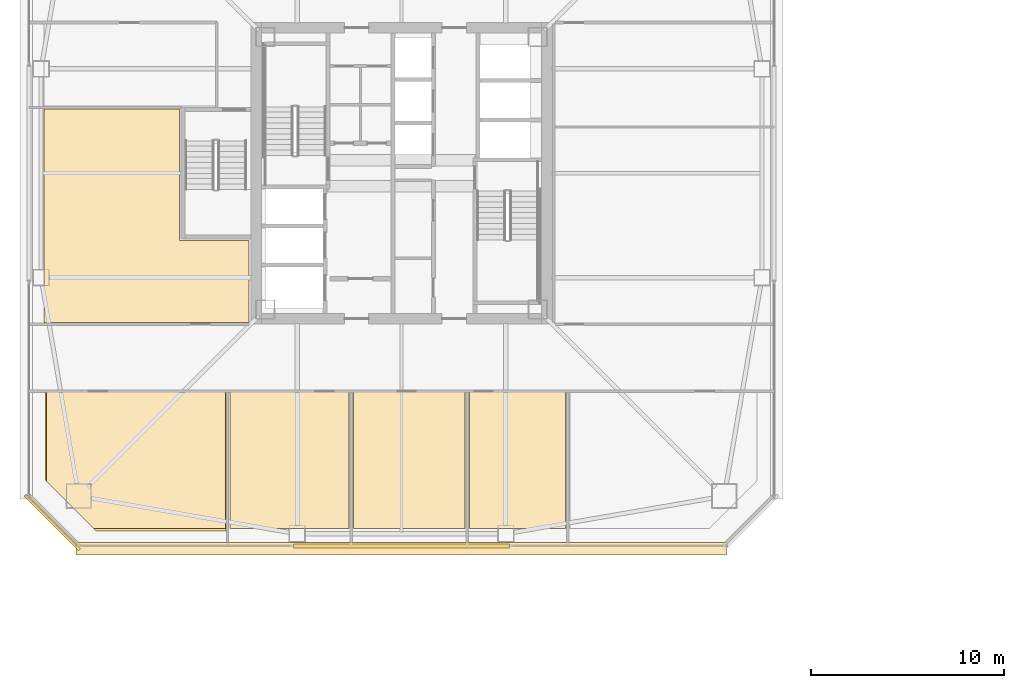
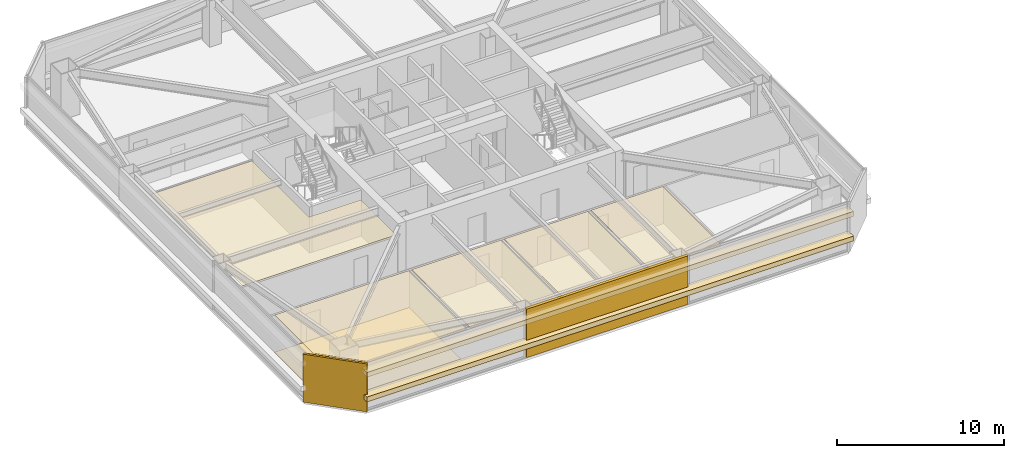
# One storey, part 36 of 41: 10 coverings.
"""IFC4 building model written with IfcOpenShell, lengths in metres."""

from ifc_helpers import new_model, si_unit, direction, frame, origin, origin_2d, place, context, subcontext, project, spatial, polyline, rectangle, outline, extrude, material, layer, layer_set, type_object, element, save


model = new_model("IFC4")

# Units and contexts
model_context = context("Model", 3, precision=1e-05, world=origin(), true_north=direction((0.0, 1.0)))
body_context = subcontext(model_context, "Body", "Model", "MODEL_VIEW")
ifc_project = project(units=[si_unit("LENGTHUNIT", "METRE"), si_unit("AREAUNIT", "SQUARE_METRE"), si_unit("VOLUMEUNIT", "CUBIC_METRE"), si_unit("PLANEANGLEUNIT", "RADIAN"), si_unit("MASSUNIT", "GRAM", prefix="KILO")], contexts=[model_context])

# Site, building, storey
site_placement = place(None, origin())
site = spatial("IfcSite", under=ifc_project, at=site_placement, CompositionType="ELEMENT")
building_placement = place(site_placement, origin())
building = spatial("IfcBuilding", under=site, at=building_placement, Name="Tashvorn Skyway Center", CompositionType="ELEMENT")
storey_placement = place(building_placement, frame((0.0, 0.0, 117.949951171875)))
storey = spatial("IfcBuildingStorey", under=building, at=storey_placement, Name="L31", CompositionType="ELEMENT", Elevation=117.949951171875)

# Coverings
ifc_material_1 = material(Name="Precast concrete C40/50", Category="concrete")
ifc_layer_1 = layer(ifc_material_1, 0.199951171875)
ifc_layer_set_1 = layer_set([ifc_layer_1], Name="Precast concrete C40/50")
covering_type_1 = type_object("IfcCoveringType", Name="COV-BRACE-CLAD", PredefinedType="CLADDING", material=ifc_layer_set_1)
covering_1_placement = place(storey_placement, frame((42.0, 12.719970703125, 0.0), z_axis=(0.0, 0.0, 1.0), x_axis=(-1.0, 0.0, 0.0)))
element("IfcCovering", 1, at=covering_1_placement, inside=storey, type_object=covering_type_1, Name="Tower 1 L31 South Unitised Curtain Wall Mega-Brace Cladding Band 1", PredefinedType="CLADDING", context=body_context, shape_type="SweptSolid", body=[
    extrude(rectangle(XDim=11.1865234375, YDim=0.199951171875, at=origin_2d()), origin(), (0.0, 0.0, 1.0), 3.550048828125),
])
ifc_material_2 = material(Name="Mineral-fibre acoustic ceiling tile on suspended grid")
ifc_layer_2 = layer(ifc_material_2, 0.02001953125)
ifc_layer_set_2 = layer_set([ifc_layer_2], Name="Mineral-fibre acoustic ceiling tile on suspended grid")
covering_type_2 = type_object("IfcCoveringType", Name="COV-CEIL-20", PredefinedType="CEILING", material=ifc_layer_set_2)
covering_2_placement = place(storey_placement, frame((0.0, 0.0, 2.703125)))
element("IfcCovering", 2, at=covering_2_placement, inside=storey, type_object=covering_type_2, Name="Tower 1 L31 Executive Study Lounge Acoustic Ceiling", PredefinedType="CEILING", context=body_context, shape_type="SweptSolid", body=[
    extrude(outline(polyline([(23.6201171875, 20.68994140625), (32.8798828125, 20.68994140625), (32.8798828125, 13.6201171875), (26.080078125, 13.6201171875), (23.6201171875, 16.080078125), (23.6201171875, 20.68994140625)])), origin(), (0.0, 0.0, 1.0), 0.02001953125),
])
covering_3_placement = place(storey_placement, frame((0.0, 0.0, 2.703125)))
element("IfcCovering", 3, at=covering_3_placement, inside=storey, type_object=covering_type_2, Name="Tower 1 L31 Design Studio Acoustic Ceiling", PredefinedType="CEILING", context=body_context, shape_type="SweptSolid", body=[
    extrude(outline(polyline([(33.1201171875, 20.68994140625), (39.280029296875, 20.68994140625), (39.280029296875, 13.6201171875), (33.1201171875, 13.6201171875), (33.1201171875, 20.68994140625)])), origin(), (0.0, 0.0, 1.0), 0.02001953125),
])
covering_4_placement = place(storey_placement, frame((0.0, 0.0, 2.703125)))
element("IfcCovering", 4, at=covering_4_placement, inside=storey, type_object=covering_type_2, Name="Tower 1 L31 Design Studio Acoustic Ceiling", PredefinedType="CEILING", context=body_context, shape_type="SweptSolid", body=[
    extrude(outline(polyline([(39.52001953125, 20.68994140625), (45.280029296875, 20.68994140625), (45.280029296875, 13.6201171875), (39.52001953125, 13.6201171875), (39.52001953125, 20.68994140625)])), origin(), (0.0, 0.0, 1.0), 0.02001953125),
])
covering_5_placement = place(storey_placement, frame((0.0, 0.0, 2.703125)))
element("IfcCovering", 5, at=covering_5_placement, inside=storey, type_object=covering_type_2, Name="Tower 1 L31 Reading Lounge Acoustic Ceiling", PredefinedType="CEILING", context=body_context, shape_type="SweptSolid", body=[
    extrude(outline(polyline([(45.52001953125, 20.68994140625), (50.47998046875, 20.68994140625), (50.47998046875, 13.6201171875), (45.52001953125, 13.6201171875), (45.52001953125, 20.68994140625)])), origin(), (0.0, 0.0, 1.0), 0.02001953125),
])
covering_6_placement = place(storey_placement, frame((0.0, 0.0, 2.703125)))
element("IfcCovering", 6, at=covering_6_placement, inside=storey, type_object=covering_type_2, Name="Tower 1 L31 Public Restroom Acoustic Ceiling", PredefinedType="CEILING", context=body_context, shape_type="SweptSolid", body=[
    extrude(outline(polyline([(34.1201171875, 24.280029296875), (23.5, 24.280029296875), (23.5, 28.52001953125), (23.5, 35.320068359375), (30.52001953125, 35.320068359375), (30.52001953125, 28.52001953125), (34.1201171875, 28.52001953125), (34.1201171875, 24.280029296875)])), origin(), (0.0, 0.0, 1.0), 0.02001953125),
])
ifc_material_3 = material(Name="Polished Mojave desert-aggregate terrazzo and cover plate")
ifc_layer_3 = layer(ifc_material_3, 0.0400390625)
ifc_layer_set_3 = layer_set([ifc_layer_3], Name="Polished Mojave desert-aggregate terrazzo and cover plate")
covering_type_3 = type_object("IfcCoveringType", Name="COV-FLR-40", PredefinedType="FLOORING", material=ifc_layer_set_3)
covering_7_placement = place(storey_placement, origin())
element("IfcCovering", 7, at=covering_7_placement, inside=storey, type_object=covering_type_3, Name="Tower 1 L31 Executive Study Lounge Finish Flooring", PredefinedType="FLOORING", context=body_context, shape_type="SweptSolid", body=[
    extrude(outline(polyline([(26.199951171875, 13.5), (23.580078125, 16.1201171875), (23.580078125, 20.64990234375), (32.919921875, 20.64990234375), (32.919921875, 13.5), (26.199951171875, 13.5)])), origin(), (0.0, 0.0, 1.0), 0.0400390625),
])
ifc_material_4 = material(Name="Perforated ceramic-coated bronze aluminium solar screen", Category="aluminium")
ifc_layer_4 = layer(ifc_material_4, 0.85009765625)
ifc_layer_set_4 = layer_set([ifc_layer_4], Name="Perforated ceramic-coated bronze aluminium solar screen")
covering_type_4 = type_object("IfcCoveringType", Name="COV-SOLAR-BAND", PredefinedType="CLADDING", material=ifc_layer_set_4)
for number, where, z_axis, x_axis, name in (
    (8, (42.0, 12.580078125, 0.919921875), (0.0, 0.0, 1.0), (-1.0, 0.0, 0.0), "L31 Perforated Ceramic-Metal Solar Screen Louvre Band South 1"),
    (9, (42.0, 12.580078125, 2.72021484375), (0.0, 0.0, 1.0), (-1.0, 0.0, 0.0), "L31 Perforated Ceramic-Metal Solar Screen Louvre Band South 2"),
):
    element("IfcCovering", number, at=place(storey_placement, frame(where, z_axis=z_axis, x_axis=x_axis)), inside=storey, type_object=covering_type_4, Name=name, PredefinedType="CLADDING", context=body_context, shape_type="SweptSolid", body=[
        extrude(rectangle(XDim=33.679931640625, YDim=0.639892578125, at=origin_2d()), origin(), (0.0, 0.0, 1.0), 0.360107421875),
    ])
ifc_layer_5 = layer(ifc_material_1, 0.35009765625)
ifc_layer_set_5 = layer_set([ifc_layer_5], Name="Precast concrete C40/50")
covering_type_5 = type_object("IfcCoveringType", Name="COV-STONE-TRIM", PredefinedType="CLADDING", material=ifc_layer_set_5)
covering_8_placement = place(storey_placement, frame((23.929931640625, 13.929931640625, 0.02001953125), z_axis=(0.0, 0.0, 1.0), x_axis=(-0.707106781187, 0.707106781187, 0.0)))
element("IfcCovering", 10, at=covering_8_placement, inside=storey, type_object=covering_type_5, Name="Tower 1 L31 SW Mojave Limestone Corner Quoin", PredefinedType="CLADDING", context=body_context, shape_type="SweptSolid", body=[
    extrude(rectangle(XDim=3.978515625, YDim=0.139892578125, at=origin_2d()), origin(), (0.0, 0.0, 1.0), 3.510009765625),
])

save(model, "model.ifc")
